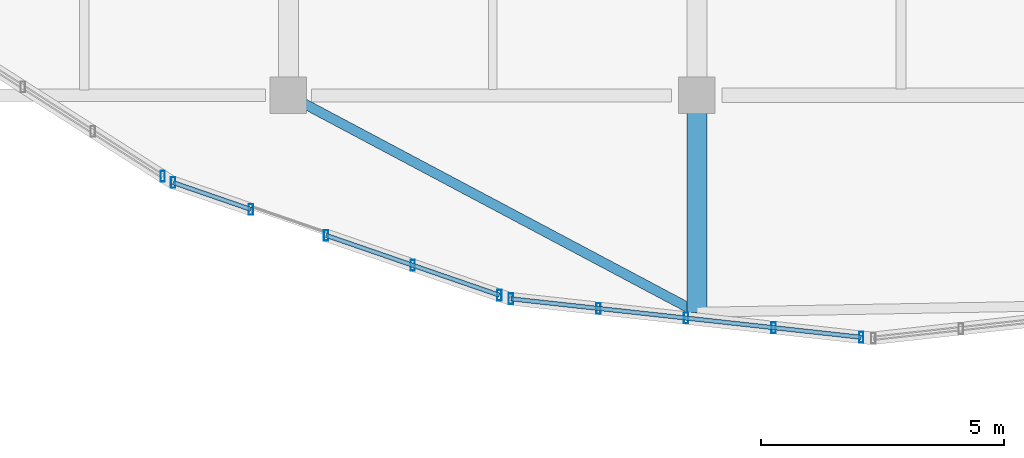
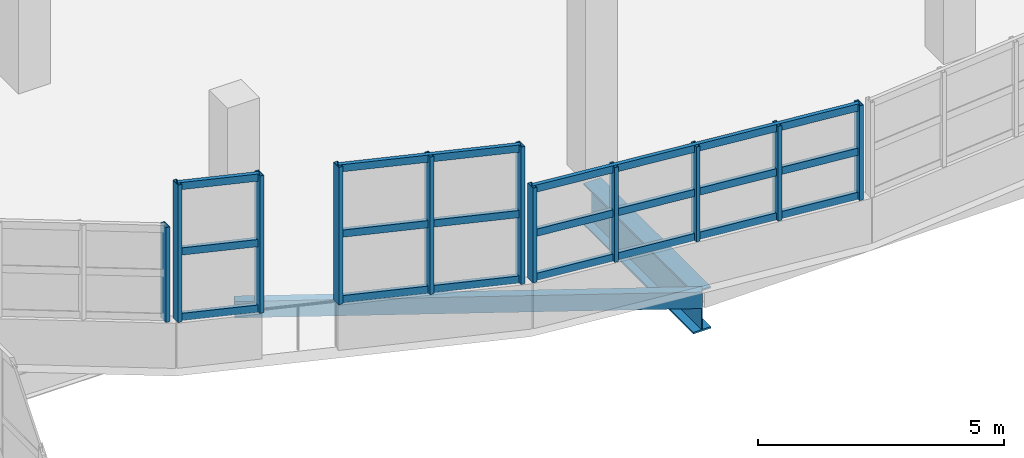
# One storey, part 9 of 117: 20 members, 2 beams, 4 elements without a shape of their own.
"""IFC4 building model written with IfcOpenShell, lengths in metres."""

from ifc_helpers import new_model, si_unit, direction, frame, origin, origin_2d, place, context, subcontext, project, spatial, hollow_rectangle, i_section, extrude, material, material_profile, profile_set, type_object, element, aggregate, save


model = new_model("IFC4")

# Units and contexts
model_context = context("Model", 3, precision=1e-05, world=origin(), true_north=direction((0.0, 1.0)))
body_context = subcontext(model_context, "Body", "Model", "MODEL_VIEW")
ifc_project = project(units=[si_unit("LENGTHUNIT", "METRE"), si_unit("AREAUNIT", "SQUARE_METRE"), si_unit("VOLUMEUNIT", "CUBIC_METRE"), si_unit("PLANEANGLEUNIT", "RADIAN"), si_unit("MASSUNIT", "GRAM", prefix="KILO")], contexts=[model_context])

# Site, building, storey
site_placement = place(None, origin())
site = spatial("IfcSite", under=ifc_project, at=site_placement, CompositionType="ELEMENT")
building_placement = place(site_placement, origin())
building = spatial("IfcBuilding", under=site, at=building_placement, Name="Solvento Point Concert Hall", CompositionType="ELEMENT")
storey_placement = place(building_placement, frame((0.0, 0.0, 5.39990234375)))
storey = spatial("IfcBuildingStorey", under=building, at=storey_placement, Name="L01", CompositionType="ELEMENT", Elevation=5.39990234375)

# Beam
ifc_material_1 = material(Name="Structural Steel ASTM A992 Grade 50", Category="steel")
ifc_material_profile_1 = material_profile(ifc_material_1, i_section(OverallWidth=0.408935546875, OverallDepth=1.041015625, WebThickness=0.031005859375, FlangeThickness=0.04443359375, at=origin_2d()), Name="W40X397")
ifc_profile_set_1 = profile_set([ifc_material_profile_1], Name="Structural Steel ASTM A992 Grade 50")
beam_type_1 = type_object("IfcBeamType", Name="CantileverGirder_W40X397", PredefinedType="USERDEFINED", material=ifc_profile_set_1)
beam_1_placement = place(storey_placement, frame((57.60009765625, 17.0, -0.805419921875), z_axis=(0.0, -1.0, 0.0), x_axis=(1.0, 0.0, 0.0)))
element("IfcBeam", 1, at=beam_1_placement, inside=storey, type_object=beam_type_1, Name="Radial cantilever girder CG-01 L01", ObjectType="GIRDER", PredefinedType="USERDEFINED", context=body_context, shape_type="SweptSolid", body=[
    extrude(i_section(OverallWidth=0.408935546875, OverallDepth=1.041015625, WebThickness=0.031005859375, FlangeThickness=0.04443359375, at=origin_2d()), origin(), (0.0, 0.0, 1.0), 4.4619140625),
])

# Curtain wall, members
ifc_material_2 = material(Name="Anodized Bronze Aluminium", Category="aluminium")
curtain_wall_type = type_object("IfcCurtainWallType", Name="CurtainWall_RingRibbon_L01_02", PredefinedType="USERDEFINED", material=ifc_material_2)
curtain_wall_1_placement = place(storey_placement, origin())
curtain_wall_1 = element("IfcCurtainWall", 2, at=curtain_wall_1_placement, inside=storey, type_object=curtain_wall_type, Name="Unitised curtain wall CW-59 UCW-L01-113", ObjectType="UNITISED CURTAIN WALL", PredefinedType="USERDEFINED")
ifc_material_3 = material(Name="Anodized Bronze Aluminium", Category="aluminium")
ifc_material_profile_2 = material_profile(ifc_material_3, hollow_rectangle(XDim=0.090087890625, YDim=0.219970703125, WallThickness=0.00439453125, at=origin_2d()), Name="CW-MUL-90X220")
ifc_profile_set_2 = profile_set([ifc_material_profile_2], Name="Anodized Bronze Aluminium")
member_type_1 = type_object("IfcMemberType", Name="Mullion_90x220", PredefinedType="MULLION", material=ifc_profile_set_2)
member_1_placement = place(storey_placement, frame((60.981201171875, 12.02392578125, 1.1201171875), z_axis=(0.0, 0.0, 1.0), x_axis=(1.0, 0.0, 0.0)))
member_1 = element("IfcMember", 3, at=member_1_placement, type_object=member_type_1, Name="Curtain wall mullion ML-02", PredefinedType="MULLION", context=body_context, shape_type="SweptSolid", body=[
    extrude(hollow_rectangle(XDim=0.090087890625, YDim=0.219970703125, WallThickness=0.00439453125, at=origin_2d()), origin(), (0.0, 0.0, 1.0), 2.35205078125),
])
member_2_placement = place(storey_placement, frame((59.179931640625, 12.2216796875, 1.1201171875), z_axis=(0.0, 0.0, 1.0), x_axis=(1.0, 0.0, 0.0)))
member_2 = element("IfcMember", 4, at=member_2_placement, type_object=member_type_1, Name="Curtain wall mullion ML-02", PredefinedType="MULLION", context=body_context, shape_type="SweptSolid", body=[
    extrude(hollow_rectangle(XDim=0.090087890625, YDim=0.219970703125, WallThickness=0.00439453125, at=origin_2d()), origin(), (0.0, 0.0, 1.0), 2.35205078125),
])
member_3_placement = place(storey_placement, frame((57.378662109375, 12.419189453125, 1.1201171875), z_axis=(0.0, 0.0, 1.0), x_axis=(1.0, 0.0, 0.0)))
member_3 = element("IfcMember", 5, at=member_3_placement, type_object=member_type_1, Name="Curtain wall mullion ML-02", PredefinedType="MULLION", context=body_context, shape_type="SweptSolid", body=[
    extrude(hollow_rectangle(XDim=0.090087890625, YDim=0.219970703125, WallThickness=0.00439453125, at=origin_2d()), origin(), (0.0, 0.0, 1.0), 2.35205078125),
])
member_4_placement = place(storey_placement, frame((55.5771484375, 12.616943359375, 1.1201171875), z_axis=(0.0, 0.0, 1.0), x_axis=(1.0, 0.0, 0.0)))
member_4 = element("IfcMember", 6, at=member_4_placement, type_object=member_type_1, Name="Curtain wall mullion ML-02", PredefinedType="MULLION", context=body_context, shape_type="SweptSolid", body=[
    extrude(hollow_rectangle(XDim=0.090087890625, YDim=0.219970703125, WallThickness=0.00439453125, at=origin_2d()), origin(), (0.0, 0.0, 1.0), 2.35205078125),
])
member_5_placement = place(storey_placement, frame((53.77587890625, 12.814453125, 1.1201171875), z_axis=(0.0, 0.0, 1.0), x_axis=(1.0, 0.0, 0.0)))
member_5 = element("IfcMember", 7, at=member_5_placement, type_object=member_type_1, Name="Curtain wall mullion ML-02", PredefinedType="MULLION", context=body_context, shape_type="SweptSolid", body=[
    extrude(hollow_rectangle(XDim=0.090087890625, YDim=0.219970703125, WallThickness=0.00439453125, at=origin_2d()), origin(), (0.0, 0.0, 1.0), 2.35205078125),
])

curtain_wall_2_placement = place(storey_placement, origin())
curtain_wall_2 = element("IfcCurtainWall", 8, at=curtain_wall_2_placement, inside=storey, type_object=curtain_wall_type, Name="Unitised curtain wall CW-59 UCW-L01-114", ObjectType="UNITISED CURTAIN WALL", PredefinedType="USERDEFINED")
member_6_placement = place(storey_placement, frame((53.5380859375, 12.8896484375, 1.1201171875), z_axis=(0.0, 0.0, 1.0), x_axis=(1.0, 0.0, 0.0)))
member_6 = element("IfcMember", 9, at=member_6_placement, type_object=member_type_1, Name="Curtain wall mullion ML-02", PredefinedType="MULLION", context=body_context, shape_type="SweptSolid", body=[
    extrude(hollow_rectangle(XDim=0.090087890625, YDim=0.219970703125, WallThickness=0.00439453125, at=origin_2d()), origin(), (0.0, 0.0, 1.0), 3.409912109375),
])
member_7_placement = place(storey_placement, frame((51.755615234375, 13.5048828125, 1.1201171875), z_axis=(0.0, 0.0, 1.0), x_axis=(1.0, 0.0, 0.0)))
member_7 = element("IfcMember", 10, at=member_7_placement, type_object=member_type_1, Name="Curtain wall mullion ML-02", PredefinedType="MULLION", context=body_context, shape_type="SweptSolid", body=[
    extrude(hollow_rectangle(XDim=0.090087890625, YDim=0.219970703125, WallThickness=0.00439453125, at=origin_2d()), origin(), (0.0, 0.0, 1.0), 3.409912109375),
])
member_8_placement = place(storey_placement, frame((49.973388671875, 14.1201171875, 1.1201171875), z_axis=(0.0, 0.0, 1.0), x_axis=(1.0, 0.0, 0.0)))
member_8 = element("IfcMember", 11, at=member_8_placement, type_object=member_type_1, Name="Curtain wall mullion ML-02", PredefinedType="MULLION", context=body_context, shape_type="SweptSolid", body=[
    extrude(hollow_rectangle(XDim=0.090087890625, YDim=0.219970703125, WallThickness=0.00439453125, at=origin_2d()), origin(), (0.0, 0.0, 1.0), 3.409912109375),
])

curtain_wall_3_placement = place(storey_placement, origin())
curtain_wall_3 = element("IfcCurtainWall", 12, at=curtain_wall_3_placement, inside=storey, type_object=curtain_wall_type, Name="Unitised curtain wall CW-59 UCW-L01-115", ObjectType="UNITISED CURTAIN WALL", PredefinedType="USERDEFINED")
member_9_placement = place(storey_placement, frame((48.426513671875, 14.65380859375, 1.1201171875), z_axis=(0.0, 0.0, 1.0), x_axis=(1.0, 0.0, 0.0)))
member_9 = element("IfcMember", 13, at=member_9_placement, type_object=member_type_1, Name="Curtain wall mullion ML-02", PredefinedType="MULLION", context=body_context, shape_type="SweptSolid", body=[
    extrude(hollow_rectangle(XDim=0.090087890625, YDim=0.219970703125, WallThickness=0.00439453125, at=origin_2d()), origin(), (0.0, 0.0, 1.0), 3.409912109375),
])
member_10_placement = place(storey_placement, frame((46.828369140625, 15.20556640625, 1.1201171875), z_axis=(0.0, 0.0, 1.0), x_axis=(1.0, 0.0, 0.0)))
member_10 = element("IfcMember", 14, at=member_10_placement, type_object=member_type_1, Name="Curtain wall mullion ML-02", PredefinedType="MULLION", context=body_context, shape_type="SweptSolid", body=[
    extrude(hollow_rectangle(XDim=0.090087890625, YDim=0.219970703125, WallThickness=0.00439453125, at=origin_2d()), origin(), (0.0, 0.0, 1.0), 3.409912109375),
])

# Curtain wall, member
curtain_wall_4_placement = place(storey_placement, origin())
curtain_wall_4 = element("IfcCurtainWall", 15, at=curtain_wall_4_placement, inside=storey, type_object=curtain_wall_type, Name="Unitised curtain wall CW-59 UCW-L01-116", ObjectType="UNITISED CURTAIN WALL", PredefinedType="USERDEFINED")
member_11_placement = place(storey_placement, frame((46.61474609375, 15.333984375, 1.1201171875), z_axis=(0.0, 0.0, 1.0), x_axis=(1.0, 0.0, 0.0)))
member_11 = element("IfcMember", 16, at=member_11_placement, type_object=member_type_1, Name="Curtain wall mullion ML-02", PredefinedType="MULLION", context=body_context, shape_type="SweptSolid", body=[
    extrude(hollow_rectangle(XDim=0.090087890625, YDim=0.219970703125, WallThickness=0.00439453125, at=origin_2d()), origin(), (0.0, 0.0, 1.0), 2.35205078125),
])
aggregate(curtain_wall_4, [member_11])

# Beam
ifc_material_4 = material(Name="Structural Steel ASTM A500 Grade C", Category="steel")
ifc_material_profile_3 = material_profile(ifc_material_4, hollow_rectangle(XDim=0.203125, YDim=0.406494140625, WallThickness=0.01171875, at=origin_2d()), Name="HSS16X8X1/2")
ifc_profile_set_3 = profile_set([ifc_material_profile_3], Name="Structural Steel ASTM A500 Grade C")
beam_type_2 = type_object("IfcBeamType", Name="RingBeam_HSS16X8", PredefinedType="SPANDREL", material=ifc_profile_set_3)
beam_2_placement = place(storey_placement, frame((49.199951171875, 17.0, -0.487060546875), z_axis=(0.883144630469, -0.469100801187, 0.0), x_axis=(0.469100801187, 0.883144630469, 0.0)))
element("IfcBeam", 17, at=beam_2_placement, inside=storey, type_object=beam_type_2, Name="Elliptical perimeter ring beam RB-01 L01", PredefinedType="SPANDREL", context=body_context, shape_type="SweptSolid", body=[
    extrude(hollow_rectangle(XDim=0.203125, YDim=0.406494140625, WallThickness=0.01171875, at=origin_2d()), origin(), (0.0, 0.0, 1.0), 9.51171875),
])

# Member
ifc_material_5 = material(Name="Anodized Bronze Aluminium", Category="aluminium")
ifc_material_profile_4 = material_profile(ifc_material_5, hollow_rectangle(XDim=0.090087890625, YDim=0.179931640625, WallThickness=0.00439453125, at=origin_2d()), Name="CW-TRN-90X180")
ifc_profile_set_4 = profile_set([ifc_material_profile_4], Name="Anodized Bronze Aluminium")
member_type_2 = type_object("IfcMemberType", Name="Transom_90x180", PredefinedType="USERDEFINED", material=ifc_profile_set_4)
member_12_placement = place(storey_placement, frame((60.981201171875, 12.02392578125, 1.2001953125), z_axis=(-0.994035175587, 0.10905993625, 0.0), x_axis=(-0.10905993625, -0.994035175587, 0.0)))
member_12 = element("IfcMember", 18, at=member_12_placement, type_object=member_type_2, Name="Curtain wall transom TR-02", ObjectType="TRANSOM", PredefinedType="USERDEFINED", context=body_context, shape_type="SweptSolid", body=[
    extrude(hollow_rectangle(XDim=0.090087890625, YDim=0.179931640625, WallThickness=0.00439453125, at=origin_2d()), origin(), (0.0, 0.0, 1.0), 7.24853515625),
])

member_13_placement = place(storey_placement, frame((60.981201171875, 12.02392578125, 2.296142578125), z_axis=(-0.994035175587, 0.10905993625, 0.0), x_axis=(-0.10905993625, -0.994035175587, 0.0)))
member_13 = element("IfcMember", 19, at=member_13_placement, type_object=member_type_2, Name="Curtain wall transom TR-02", ObjectType="TRANSOM", PredefinedType="USERDEFINED", context=body_context, shape_type="SweptSolid", body=[
    extrude(hollow_rectangle(XDim=0.090087890625, YDim=0.179931640625, WallThickness=0.00439453125, at=origin_2d()), origin(), (0.0, 0.0, 1.0), 7.24853515625),
])

member_14_placement = place(storey_placement, frame((60.981201171875, 12.02392578125, 3.39208984375), z_axis=(-0.994035175587, 0.10905993625, 0.0), x_axis=(-0.10905993625, -0.994035175587, 0.0)))
member_14 = element("IfcMember", 20, at=member_14_placement, type_object=member_type_2, Name="Curtain wall transom TR-02", ObjectType="TRANSOM", PredefinedType="USERDEFINED", context=body_context, shape_type="SweptSolid", body=[
    extrude(hollow_rectangle(XDim=0.090087890625, YDim=0.179931640625, WallThickness=0.00439453125, at=origin_2d()), origin(), (0.0, 0.0, 1.0), 7.24853515625),
])

aggregate(curtain_wall_1, [member_1, member_2, member_3, member_4, member_5, member_12, member_13, member_14])

member_15_placement = place(storey_placement, frame((53.5380859375, 12.8896484375, 1.2001953125), z_axis=(-0.945269735422, 0.326289943602, 0.0), x_axis=(-0.326289943602, -0.945269735422, 0.0)))
member_15 = element("IfcMember", 21, at=member_15_placement, type_object=member_type_2, Name="Curtain wall transom TR-02", ObjectType="TRANSOM", PredefinedType="USERDEFINED", context=body_context, shape_type="SweptSolid", body=[
    extrude(hollow_rectangle(XDim=0.090087890625, YDim=0.179931640625, WallThickness=0.00439453125, at=origin_2d()), origin(), (0.0, 0.0, 1.0), 3.77099609375),
])

member_16_placement = place(storey_placement, frame((53.5380859375, 12.8896484375, 2.8251953125), z_axis=(-0.945269735422, 0.326289943602, 0.0), x_axis=(-0.326289943602, -0.945269735422, 0.0)))
member_16 = element("IfcMember", 22, at=member_16_placement, type_object=member_type_2, Name="Curtain wall transom TR-02", ObjectType="TRANSOM", PredefinedType="USERDEFINED", context=body_context, shape_type="SweptSolid", body=[
    extrude(hollow_rectangle(XDim=0.090087890625, YDim=0.179931640625, WallThickness=0.00439453125, at=origin_2d()), origin(), (0.0, 0.0, 1.0), 3.77099609375),
])

member_17_placement = place(storey_placement, frame((53.5380859375, 12.8896484375, 4.4501953125), z_axis=(-0.945269735422, 0.326289943602, 0.0), x_axis=(-0.326289943602, -0.945269735422, 0.0)))
member_17 = element("IfcMember", 23, at=member_17_placement, type_object=member_type_2, Name="Curtain wall transom TR-02", ObjectType="TRANSOM", PredefinedType="USERDEFINED", context=body_context, shape_type="SweptSolid", body=[
    extrude(hollow_rectangle(XDim=0.090087890625, YDim=0.179931640625, WallThickness=0.00439453125, at=origin_2d()), origin(), (0.0, 0.0, 1.0), 3.77099609375),
])

aggregate(curtain_wall_2, [member_6, member_7, member_8, member_15, member_16, member_17])

member_18_placement = place(storey_placement, frame((48.426513671875, 14.65380859375, 1.2001953125), z_axis=(-0.945250150566, 0.326346675875, 0.0), x_axis=(-0.326346675875, -0.945250150566, 0.0)))
member_18 = element("IfcMember", 24, at=member_18_placement, type_object=member_type_2, Name="Curtain wall transom TR-02", ObjectType="TRANSOM", PredefinedType="USERDEFINED", context=body_context, shape_type="SweptSolid", body=[
    extrude(hollow_rectangle(XDim=0.090087890625, YDim=0.179931640625, WallThickness=0.00439453125, at=origin_2d()), origin(), (0.0, 0.0, 1.0), 1.690673828125),
])

member_19_placement = place(storey_placement, frame((48.426513671875, 14.65380859375, 2.8251953125), z_axis=(-0.945250150566, 0.326346675875, 0.0), x_axis=(-0.326346675875, -0.945250150566, 0.0)))
member_19 = element("IfcMember", 25, at=member_19_placement, type_object=member_type_2, Name="Curtain wall transom TR-02", ObjectType="TRANSOM", PredefinedType="USERDEFINED", context=body_context, shape_type="SweptSolid", body=[
    extrude(hollow_rectangle(XDim=0.090087890625, YDim=0.179931640625, WallThickness=0.00439453125, at=origin_2d()), origin(), (0.0, 0.0, 1.0), 1.690673828125),
])

member_20_placement = place(storey_placement, frame((48.426513671875, 14.65380859375, 4.4501953125), z_axis=(-0.945250150566, 0.326346675875, 0.0), x_axis=(-0.326346675875, -0.945250150566, 0.0)))
member_20 = element("IfcMember", 26, at=member_20_placement, type_object=member_type_2, Name="Curtain wall transom TR-02", ObjectType="TRANSOM", PredefinedType="USERDEFINED", context=body_context, shape_type="SweptSolid", body=[
    extrude(hollow_rectangle(XDim=0.090087890625, YDim=0.179931640625, WallThickness=0.00439453125, at=origin_2d()), origin(), (0.0, 0.0, 1.0), 1.690673828125),
])

aggregate(curtain_wall_3, [member_9, member_10, member_18, member_19, member_20])

save(model, "model.ifc")
